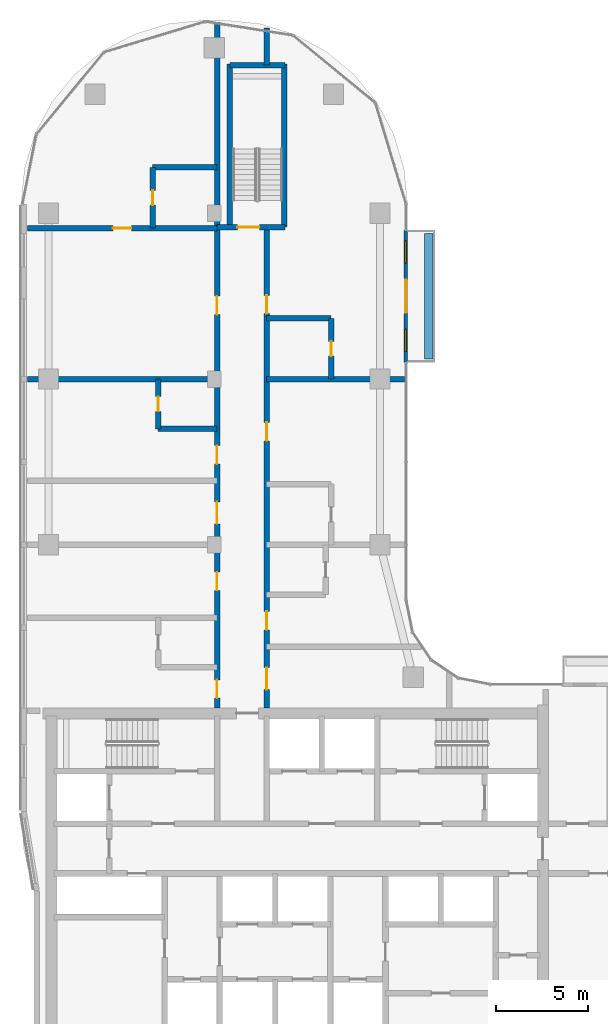
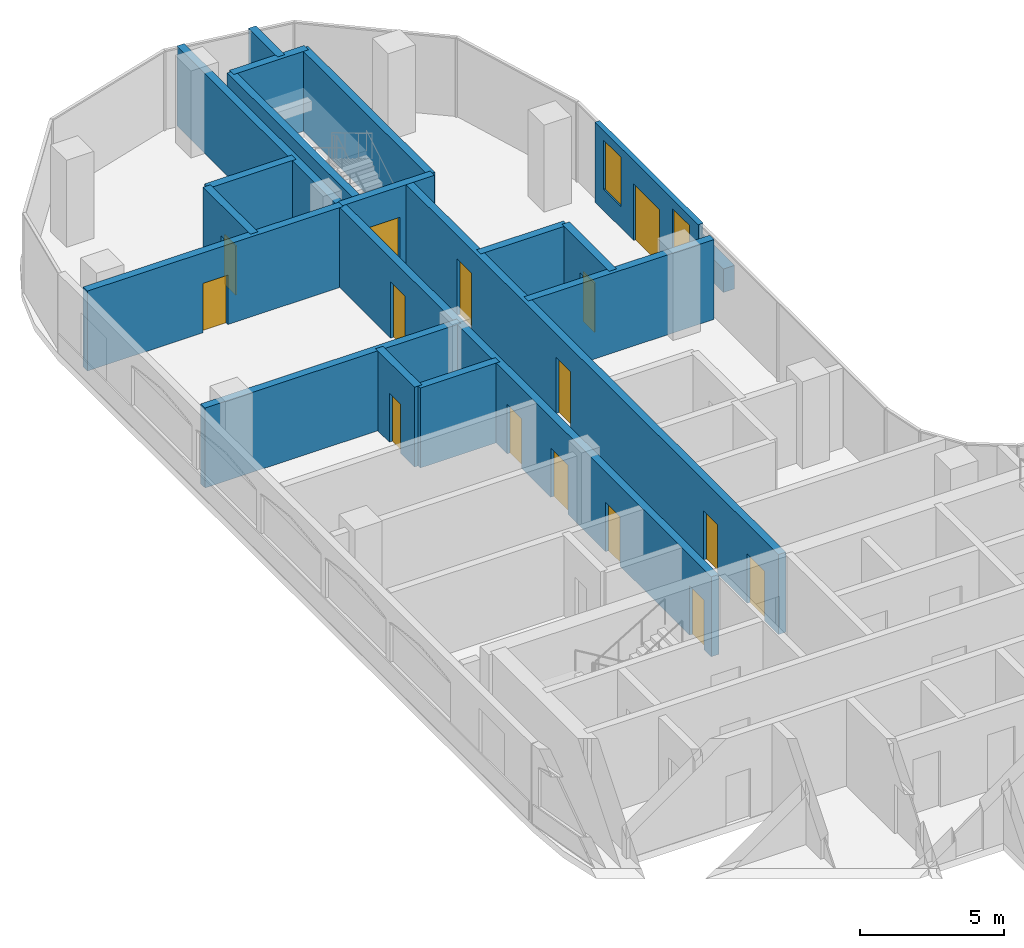
# One storey, part 11 of 22: 18 walls, 15 doors, 2 windows, 17 openings.
"""IFC4 building model written with IfcOpenShell, lengths in metres."""

from ifc_helpers import new_model, si_unit, direction, frame, frame_2d, origin, origin_2d, place, context, subcontext, project, spatial, rectangle, extrude, material, layer, layer_set, type_object, element, fill, save


model = new_model("IFC4")

# Units and contexts
model_context = context("Model", 3, precision=1e-05, world=origin(), true_north=direction((0.0, 1.0)))
body_context = subcontext(model_context, "Body", "Model", "MODEL_VIEW")
ifc_project = project(units=[si_unit("LENGTHUNIT", "METRE"), si_unit("AREAUNIT", "SQUARE_METRE"), si_unit("VOLUMEUNIT", "CUBIC_METRE"), si_unit("PLANEANGLEUNIT", "RADIAN"), si_unit("MASSUNIT", "GRAM", prefix="KILO")], contexts=[model_context])

# Site, building, storey
site_placement = place(None, origin())
site = spatial("IfcSite", under=ifc_project, at=site_placement, CompositionType="ELEMENT")
building_placement = place(site_placement, origin())
building = spatial("IfcBuilding", under=site, at=building_placement, Name="Ogive Portal Towers", CompositionType="ELEMENT")
storey_placement = place(building_placement, frame((0.0, 0.0, 145.89990234375)))
storey = spatial("IfcBuildingStorey", under=building, at=storey_placement, Name="L35", CompositionType="ELEMENT", Elevation=145.89990234375)

# Wall, openings, door, windows
ifc_material_1 = material(Name="Limestone cladding on lightweight block wall", Category="masonry")
ifc_layer_1 = layer(ifc_material_1, 0.199951171875)
ifc_layer_set_1 = layer_set([ifc_layer_1], Name="BALCONY BAY WALL 200")
wall_type_1 = type_object("IfcWallType", Name="BALCONY BAY WALL 200", PredefinedType="SOLIDWALL", material=ifc_layer_set_1)
wall_1_placement = place(storey_placement, frame((50.89990234375, 65.60009765625, 0.0), z_axis=(0.0, 0.0, 1.0), x_axis=(0.0, -1.0, 0.0)))
wall_1 = element("IfcWall", 1, at=wall_1_placement, inside=storey, type_object=wall_type_1, Name="A:L35:f17:bay0", PredefinedType="SOLIDWALL", context=body_context, shape_type="SweptSolid", body=[
    extrude(rectangle(XDim=7.2001953125, YDim=0.199951171875, at=frame_2d((3.60009765625, 0.0))), origin(), (0.0, 0.0, 1.0), 3.400146484375),
])
opening_1_placement = place(wall_1_placement, frame((2.699951171875, 0.0, 0.0)))
opening_1 = element("IfcOpeningElement", 2, at=opening_1_placement, cuts=wall_1, Name="Opening DX041", PredefinedType="OPENING", context=body_context, shape_type="SweptSolid", body=[
    extrude(rectangle(XDim=1.800048828125, YDim=2.39990234375, at=frame_2d((0.89990234375, 1.199951171875))), frame((0.0, 0.10986328125, 0.0), z_axis=(0.0, -1.0, 0.0), x_axis=(1.0, 0.0, 0.0)), (0.0, 0.0, 1.0), 0.219970703125),
])
opening_2_placement = place(wall_1_placement, frame((5.39990234375, 0.0, 0.89990234375)))
opening_2 = element("IfcOpeningElement", 3, at=opening_2_placement, cuts=wall_1, Name="Opening WN2", PredefinedType="OPENING", context=body_context, shape_type="SweptSolid", body=[
    extrude(rectangle(XDim=1.199951171875, YDim=2.10009765625, at=frame_2d((0.60009765625, 1.050048828125))), frame((0.0, 0.10986328125, 0.0), z_axis=(0.0, -1.0, 0.0), x_axis=(1.0, 0.0, 0.0)), (0.0, 0.0, 1.0), 0.219970703125),
])
opening_3_placement = place(wall_1_placement, frame((0.60009765625, 0.0, 0.89990234375)))
opening_3 = element("IfcOpeningElement", 4, at=opening_3_placement, cuts=wall_1, Name="Opening WN2", PredefinedType="OPENING", context=body_context, shape_type="SweptSolid", body=[
    extrude(rectangle(XDim=1.199951171875, YDim=2.10009765625, at=frame_2d((0.60009765625, 1.050048828125))), frame((0.0, 0.10986328125, 0.0), z_axis=(0.0, -1.0, 0.0), x_axis=(1.0, 0.0, 0.0)), (0.0, 0.0, 1.0), 0.219970703125),
])
ifc_material_2 = material(Name="Aluminium 6063 anodised", Category="aluminium")
door_type_1 = type_object("IfcDoorType", Name="BALCONY DOOR 1800x2400", OperationType="DOUBLE_DOOR_SINGLE_SWING", PredefinedType="DOOR", material=ifc_material_2)
door_1_placement = place(opening_1_placement, origin())
door_1 = element("IfcDoor", 5, at=door_1_placement, inside=storey, type_object=door_type_1, Name="A:L35:f17:bay0/o0", OperationType="SINGLE_SWING_LEFT", OverallHeight=2.39990234375, OverallWidth=1.800048828125, PredefinedType="DOOR", context=body_context, shape_type="SweptSolid", body=[
    extrude(rectangle(XDim=1.800048828125, YDim=2.39990234375, at=frame_2d((0.89990234375, 1.199951171875))), frame((0.0, 0.02490234375, 0.0), z_axis=(0.0, -1.0, 0.0), x_axis=(1.0, 0.0, 0.0)), (0.0, 0.0, 1.0), 0.050048828125),
])
fill(opening_1, door_1)
ifc_material_3 = material(Name="Glass, clear low-iron insulated glazing", Category="glass")
window_type = type_object("IfcWindowType", Name="WINDOW BALCONY BAY 1200x2100", PartitioningType="SINGLE_PANEL", PredefinedType="WINDOW", material=ifc_material_3)
window_1_placement = place(opening_2_placement, origin())
window_1 = element("IfcWindow", 6, at=window_1_placement, inside=storey, type_object=window_type, Name="A:L35:f17:bay0/o1", OverallHeight=2.10009765625, OverallWidth=1.199951171875, PartitioningType="SINGLE_PANEL", PredefinedType="WINDOW", context=body_context, shape_type="SweptSolid", body=[
    extrude(rectangle(XDim=1.199951171875, YDim=2.10009765625, at=frame_2d((0.60009765625, 1.050048828125))), frame((0.0, 0.030029296875, 0.0), z_axis=(0.0, -1.0, 0.0), x_axis=(1.0, 0.0, 0.0)), (0.0, 0.0, 1.0), 0.06005859375),
])
fill(opening_2, window_1)
window_2_placement = place(opening_3_placement, origin())
window_2 = element("IfcWindow", 7, at=window_2_placement, inside=storey, type_object=window_type, Name="A:L35:f17:bay0/o2", OverallHeight=2.10009765625, OverallWidth=1.199951171875, PartitioningType="SINGLE_PANEL", PredefinedType="WINDOW", context=body_context, shape_type="SweptSolid", body=[
    extrude(rectangle(XDim=1.199951171875, YDim=2.10009765625, at=frame_2d((0.60009765625, 1.050048828125))), frame((0.0, 0.030029296875, 0.0), z_axis=(0.0, -1.0, 0.0), x_axis=(1.0, 0.0, 0.0)), (0.0, 0.0, 1.0), 0.06005859375),
])
fill(opening_3, window_2)

# Wall
ifc_material_4 = material(Name="Concrete C40/50", Category="concrete")
ifc_layer_2 = layer(ifc_material_4, 0.449951171875)
ifc_layer_set_2 = layer_set([ifc_layer_2], Name="PLANTER WALL 450")
wall_type_2 = type_object("IfcWallType", Name="PLANTER WALL 450", PredefinedType="SOLIDWALL", material=ifc_layer_set_2)
wall_2_placement = place(storey_placement, frame((52.155029296875, 62.0, 0.0), z_axis=(0.0, 0.0, 1.0), x_axis=(1.0, 0.0, 0.0)))
element("IfcWall", 8, at=wall_2_placement, inside=storey, type_object=wall_type_2, Name="Planter S2", PredefinedType="SOLIDWALL", context=body_context, shape_type="SweptSolid", body=[
    extrude(rectangle(XDim=0.449951171875, YDim=6.800048828125, at=origin_2d()), origin(), (0.0, 0.0, 1.0), 1.0),
])

# Wall, opening, door
ifc_material_5 = material(Name="Concrete C50/60", Category="concrete")
ifc_layer_3 = layer(ifc_material_5, 0.300048828125)
ifc_layer_set_3 = layer_set([ifc_layer_3], Name="STAIR WALL 300 C50")
wall_type_3 = type_object("IfcWallType", Name="STAIR WALL 300 C50", PredefinedType="SHEAR", material=ifc_layer_set_3)
wall_3_placement = place(storey_placement, frame((40.64990234375, 65.75, 0.0), z_axis=(0.0, 0.0, 1.0), x_axis=(1.0, 0.0, 0.0)))
wall_3 = element("IfcWall", 9, at=wall_3_placement, inside=storey, type_object=wall_type_3, Name="Stair wall ST-A3 L35", PredefinedType="SHEAR", context=body_context, shape_type="SweptSolid", body=[
    extrude(rectangle(XDim=3.7001953125, YDim=0.300048828125, at=frame_2d((1.85009765625, 0.0))), origin(), (0.0, 0.0, 1.0), 3.400146484375),
])
opening_4_placement = place(wall_3_placement, frame((1.10009765625, 0.0, 0.0)))
opening_4 = element("IfcOpeningElement", 10, at=opening_4_placement, cuts=wall_3, Name="Opening D13-063", PredefinedType="OPENING", context=body_context, shape_type="SweptSolid", body=[
    extrude(rectangle(XDim=1.199951171875, YDim=2.10009765625, at=frame_2d((0.60009765625, 1.050048828125))), frame((0.0, 0.16015625, 0.0), z_axis=(0.0, -1.0, 0.0), x_axis=(1.0, 0.0, 0.0)), (0.0, 0.0, 1.0), 0.320068359375),
])
ifc_material_6 = material(Name="Steel fire door", Category="steel")
door_type_2 = type_object("IfcDoorType", Name="DT-STAIR-1200x2100-FD90S", OperationType="SINGLE_SWING_LEFT", PredefinedType="DOOR", material=ifc_material_6)
door_2_placement = place(opening_4_placement, origin())
door_2 = element("IfcDoor", 11, at=door_2_placement, inside=storey, type_object=door_type_2, Name="Door D13-063", OperationType="SINGLE_SWING_RIGHT", OverallHeight=2.10009765625, OverallWidth=1.199951171875, PredefinedType="DOOR", context=body_context, shape_type="SweptSolid", body=[
    extrude(rectangle(XDim=1.199951171875, YDim=2.10009765625, at=frame_2d((0.60009765625, 1.050048828125))), frame((0.0, 0.02490234375, 0.0), z_axis=(0.0, -1.0, 0.0), x_axis=(1.0, 0.0, 0.0)), (0.0, 0.0, 1.0), 0.050048828125),
])
fill(opening_4, door_2)

# Walls
wall_4_placement = place(storey_placement, frame((41.35009765625, 74.550048828125, 0.0), z_axis=(0.0, 0.0, 1.0), x_axis=(1.0, 0.0, 0.0)))
element("IfcWall", 12, at=wall_4_placement, inside=storey, type_object=wall_type_3, Name="Stair wall ST-A3 L35", PredefinedType="SHEAR", context=body_context, shape_type="SweptSolid", body=[
    extrude(rectangle(XDim=3.0, YDim=0.300048828125, at=frame_2d((1.5, 0.0))), origin(), (0.0, 0.0, 1.0), 3.400146484375),
])
for number, where, z_axis, x_axis, name in (
    (13, (41.35009765625, 65.75, 0.0), (0.0, 0.0, 1.0), (0.0, 1.0, 0.0), "Stair wall ST-A3 L35"),
    (14, (44.300048828125, 65.75, 0.0), (0.0, 0.0, 1.0), (0.0, 1.0, 0.0), "Stair wall ST-A3 L35"),
):
    element("IfcWall", number, at=place(storey_placement, frame(where, z_axis=z_axis, x_axis=x_axis)), inside=storey, type_object=wall_type_3, Name=name, PredefinedType="SHEAR", context=body_context, shape_type="SweptSolid", body=[
        extrude(rectangle(XDim=8.85009765625, YDim=0.300048828125, at=frame_2d((4.425048828125, 0.0))), origin(), (0.0, 0.0, 1.0), 3.400146484375),
    ])
ifc_material_7 = material(Name="Gypsum board partition on steel studs", Category="steel")
ifc_layer_4 = layer(ifc_material_7, 0.300048828125)
ifc_layer_set_4 = layer_set([ifc_layer_4], Name="WT-PART-300-EI 60")
wall_type_4 = type_object("IfcWallType", Name="WT-PART-300-EI 60", PredefinedType="PARTITIONING", material=ifc_layer_set_4)
wall_5_placement = place(storey_placement, frame((37.449951171875, 54.800048828125, 0.0), z_axis=(0.0, 0.0, 1.0), x_axis=(1.0, 0.0, 0.0)))
element("IfcWall", 15, at=wall_5_placement, inside=storey, type_object=wall_type_4, Name="Wall L35:w022", PredefinedType="PARTITIONING", context=body_context, shape_type="SweptSolid", body=[
    extrude(rectangle(XDim=3.199951171875, YDim=0.300048828125, at=frame_2d((1.60009765625, 0.0))), origin(), (0.0, 0.0, 1.0), 3.400146484375),
])
wall_6_placement = place(storey_placement, frame((30.35009765625, 57.5, 0.0), z_axis=(0.0, 0.0, 1.0), x_axis=(1.0, 0.0, 0.0)))
element("IfcWall", 16, at=wall_6_placement, inside=storey, type_object=wall_type_4, Name="Wall L35:w023", PredefinedType="PARTITIONING", context=body_context, shape_type="SweptSolid", body=[
    extrude(rectangle(XDim=10.2998046875, YDim=0.300048828125, at=frame_2d((5.14990234375, 0.0))), origin(), (0.0, 0.0, 1.0), 3.400146484375),
])
wall_7_placement = place(storey_placement, frame((43.35009765625, 57.5, 0.0), z_axis=(0.0, 0.0, 1.0), x_axis=(1.0, 0.0, 0.0)))
element("IfcWall", 17, at=wall_7_placement, inside=storey, type_object=wall_type_4, Name="Wall L35:w024", PredefinedType="PARTITIONING", context=body_context, shape_type="SweptSolid", body=[
    extrude(rectangle(XDim=7.47998046875, YDim=0.300048828125, at=frame_2d((3.739990234375, 0.0))), origin(), (0.0, 0.0, 1.0), 3.400146484375),
])
wall_8_placement = place(storey_placement, frame((43.35009765625, 60.800048828125, 0.0), z_axis=(0.0, 0.0, 1.0), x_axis=(1.0, 0.0, 0.0)))
element("IfcWall", 18, at=wall_8_placement, inside=storey, type_object=wall_type_4, Name="Wall L35:w025", PredefinedType="PARTITIONING", context=body_context, shape_type="SweptSolid", body=[
    extrude(rectangle(XDim=3.5, YDim=0.300048828125, at=frame_2d((1.75, 0.0))), origin(), (0.0, 0.0, 1.0), 3.400146484375),
])

# Wall, opening, door
wall_9_placement = place(storey_placement, frame((30.35009765625, 65.699951171875, 0.0), z_axis=(0.0, 0.0, 1.0), x_axis=(1.0, 0.0, 0.0)))
wall_9 = element("IfcWall", 19, at=wall_9_placement, inside=storey, type_object=wall_type_4, Name="Wall L35:w026", PredefinedType="PARTITIONING", context=body_context, shape_type="SweptSolid", body=[
    extrude(rectangle(XDim=10.2998046875, YDim=0.300048828125, at=frame_2d((5.14990234375, 0.0))), origin(), (0.0, 0.0, 1.0), 3.400146484375),
])
opening_5_placement = place(wall_9_placement, frame((4.64990234375, 0.0, 0.0)))
opening_5 = element("IfcOpeningElement", 20, at=opening_5_placement, cuts=wall_9, Name="Opening D13-057", PredefinedType="OPENING", context=body_context, shape_type="SweptSolid", body=[
    extrude(rectangle(XDim=1.0, YDim=2.10009765625, at=frame_2d((0.5, 1.050048828125))), frame((0.0, 0.16015625, 0.0), z_axis=(0.0, -1.0, 0.0), x_axis=(1.0, 0.0, 0.0)), (0.0, 0.0, 1.0), 0.320068359375),
])
door_type_3 = type_object("IfcDoorType", Name="DT-ENTRY-1000x2100-FD60S", OperationType="SINGLE_SWING_LEFT", PredefinedType="DOOR", material=ifc_material_6)
door_3_placement = place(opening_5_placement, origin())
door_3 = element("IfcDoor", 21, at=door_3_placement, inside=storey, type_object=door_type_3, Name="Door D13-057", OperationType="SINGLE_SWING_LEFT", OverallHeight=2.10009765625, OverallWidth=1.0, PredefinedType="DOOR", context=body_context, shape_type="SweptSolid", body=[
    extrude(rectangle(XDim=1.0, YDim=2.10009765625, at=frame_2d((0.5, 1.050048828125))), frame((0.0, 0.02490234375, 0.0), z_axis=(0.0, -1.0, 0.0), x_axis=(1.0, 0.0, 0.0)), (0.0, 0.0, 1.0), 0.050048828125),
])
fill(opening_5, door_3)

# Wall
wall_10_placement = place(storey_placement, frame((37.14990234375, 69.0, 0.0), z_axis=(0.0, 0.0, 1.0), x_axis=(1.0, 0.0, 0.0)))
element("IfcWall", 22, at=wall_10_placement, inside=storey, type_object=wall_type_4, Name="Wall L35:w028", PredefinedType="PARTITIONING", context=body_context, shape_type="SweptSolid", body=[
    extrude(rectangle(XDim=3.5, YDim=0.300048828125, at=frame_2d((1.75, 0.0))), origin(), (0.0, 0.0, 1.0), 3.400146484375),
])

# Wall, opening, door
wall_11_placement = place(storey_placement, frame((37.14990234375, 65.699951171875, 0.0), z_axis=(0.0, 0.0, 1.0), x_axis=(0.0, 1.0, 0.0)))
wall_11 = element("IfcWall", 23, at=wall_11_placement, inside=storey, type_object=wall_type_4, Name="Wall L35:w030", PredefinedType="PARTITIONING", context=body_context, shape_type="SweptSolid", body=[
    extrude(rectangle(XDim=3.300048828125, YDim=0.300048828125, at=frame_2d((1.64990234375, 0.0))), origin(), (0.0, 0.0, 1.0), 3.400146484375),
])
opening_6_placement = place(wall_11_placement, frame((1.25, 0.0, 0.0)))
opening_6 = element("IfcOpeningElement", 24, at=opening_6_placement, cuts=wall_11, Name="Opening D13-058", PredefinedType="OPENING", context=body_context, shape_type="SweptSolid", body=[
    extrude(rectangle(XDim=0.800048828125, YDim=2.10009765625, at=frame_2d((0.39990234375, 1.050048828125))), frame((0.0, 0.16015625, 0.0), z_axis=(0.0, -1.0, 0.0), x_axis=(1.0, 0.0, 0.0)), (0.0, 0.0, 1.0), 0.320068359375),
])
door_type_4 = type_object("IfcDoorType", Name="DT-BATH-800x2100-FD60S", OperationType="SINGLE_SWING_LEFT", PredefinedType="DOOR", material=ifc_material_6)
door_4_placement = place(opening_6_placement, origin())
door_4 = element("IfcDoor", 25, at=door_4_placement, inside=storey, type_object=door_type_4, Name="Door D13-058", OperationType="SINGLE_SWING_RIGHT", OverallHeight=2.10009765625, OverallWidth=0.800048828125, PredefinedType="DOOR", context=body_context, shape_type="SweptSolid", body=[
    extrude(rectangle(XDim=0.800048828125, YDim=2.10009765625, at=frame_2d((0.39990234375, 1.050048828125))), frame((0.0, 0.02490234375, 0.0), z_axis=(0.0, -1.0, 0.0), x_axis=(1.0, 0.0, 0.0)), (0.0, 0.0, 1.0), 0.050048828125),
])
fill(opening_6, door_4)

wall_12_placement = place(storey_placement, frame((37.449951171875, 54.800048828125, 0.0), z_axis=(0.0, 0.0, 1.0), x_axis=(0.0, 1.0, 0.0)))
wall_12 = element("IfcWall", 26, at=wall_12_placement, inside=storey, type_object=wall_type_4, Name="Wall L35:w032", PredefinedType="PARTITIONING", context=body_context, shape_type="SweptSolid", body=[
    extrude(rectangle(XDim=2.699951171875, YDim=0.300048828125, at=frame_2d((1.35009765625, 0.0))), origin(), (0.0, 0.0, 1.0), 3.400146484375),
])
opening_7_placement = place(wall_12_placement, frame((0.949951171875, 0.0, 0.0)))
opening_7 = element("IfcOpeningElement", 27, at=opening_7_placement, cuts=wall_12, Name="Opening D13-052", PredefinedType="OPENING", context=body_context, shape_type="SweptSolid", body=[
    extrude(rectangle(XDim=0.800048828125, YDim=2.10009765625, at=frame_2d((0.39990234375, 1.050048828125))), frame((0.0, 0.16015625, 0.0), z_axis=(0.0, -1.0, 0.0), x_axis=(1.0, 0.0, 0.0)), (0.0, 0.0, 1.0), 0.320068359375),
])
door_5_placement = place(opening_7_placement, origin())
door_5 = element("IfcDoor", 28, at=door_5_placement, inside=storey, type_object=door_type_4, Name="Door D13-052", OperationType="SINGLE_SWING_LEFT", OverallHeight=2.10009765625, OverallWidth=0.800048828125, PredefinedType="DOOR", context=body_context, shape_type="SweptSolid", body=[
    extrude(rectangle(XDim=0.800048828125, YDim=2.10009765625, at=frame_2d((0.39990234375, 1.050048828125))), frame((0.0, 0.02490234375, 0.0), z_axis=(0.0, -1.0, 0.0), x_axis=(1.0, 0.0, 0.0)), (0.0, 0.0, 1.0), 0.050048828125),
])
fill(opening_7, door_5)

# Wall, openings, doors
wall_13_placement = place(storey_placement, frame((40.64990234375, 39.64990234375, 0.0), z_axis=(0.0, 0.0, 1.0), x_axis=(0.0, 1.0, 0.0)))
wall_13 = element("IfcWall", 29, at=wall_13_placement, inside=storey, type_object=wall_type_4, Name="Wall L35:w033", PredefinedType="PARTITIONING", context=body_context, shape_type="SweptSolid", body=[
    extrude(rectangle(XDim=37.239990234375, YDim=0.300048828125, at=frame_2d((18.6201171875, 0.0))), origin(), (0.0, 0.0, 1.0), 3.400146484375),
])
opening_8_placement = place(wall_13_placement, frame((0.52001953125, 0.0, 0.0)))
opening_8 = element("IfcOpeningElement", 30, at=opening_8_placement, cuts=wall_13, Name="Opening D13-047", PredefinedType="OPENING", context=body_context, shape_type="SweptSolid", body=[
    extrude(rectangle(XDim=1.0, YDim=2.10009765625, at=frame_2d((0.5, 1.050048828125))), frame((0.0, 0.16015625, 0.0), z_axis=(0.0, -1.0, 0.0), x_axis=(1.0, 0.0, 0.0)), (0.0, 0.0, 1.0), 0.320068359375),
])
opening_9_placement = place(wall_13_placement, frame((6.3701171875, 0.0, 0.0)))
opening_9 = element("IfcOpeningElement", 31, at=opening_9_placement, cuts=wall_13, Name="Opening D13-048", PredefinedType="OPENING", context=body_context, shape_type="SweptSolid", body=[
    extrude(rectangle(XDim=1.0, YDim=2.10009765625, at=frame_2d((0.5, 1.050048828125))), frame((0.0, 0.16015625, 0.0), z_axis=(0.0, -1.0, 0.0), x_axis=(1.0, 0.0, 0.0)), (0.0, 0.0, 1.0), 0.320068359375),
])
opening_10_placement = place(wall_13_placement, frame((9.985107421875, 0.0, 0.0)))
opening_10 = element("IfcOpeningElement", 32, at=opening_10_placement, cuts=wall_13, Name="Opening D13-051", PredefinedType="OPENING", context=body_context, shape_type="SweptSolid", body=[
    extrude(rectangle(XDim=1.199951171875, YDim=2.10009765625, at=frame_2d((0.60009765625, 1.050048828125))), frame((0.0, 0.16015625, 0.0), z_axis=(0.0, -1.0, 0.0), x_axis=(1.0, 0.0, 0.0)), (0.0, 0.0, 1.0), 0.320068359375),
])
opening_11_placement = place(wall_13_placement, frame((13.235107421875, 0.0, 0.0)))
opening_11 = element("IfcOpeningElement", 33, at=opening_11_placement, cuts=wall_13, Name="Opening D13-053", PredefinedType="OPENING", context=body_context, shape_type="SweptSolid", body=[
    extrude(rectangle(XDim=1.0, YDim=2.10009765625, at=frame_2d((0.5, 1.050048828125))), frame((0.0, 0.16015625, 0.0), z_axis=(0.0, -1.0, 0.0), x_axis=(1.0, 0.0, 0.0)), (0.0, 0.0, 1.0), 0.320068359375),
])
opening_12_placement = place(wall_13_placement, frame((21.35009765625, 0.0, 0.0)))
opening_12 = element("IfcOpeningElement", 34, at=opening_12_placement, cuts=wall_13, Name="Opening D13-056", PredefinedType="OPENING", context=body_context, shape_type="SweptSolid", body=[
    extrude(rectangle(XDim=1.0, YDim=2.39990234375, at=frame_2d((0.5, 1.199951171875))), frame((0.0, 0.16015625, 0.0), z_axis=(0.0, -1.0, 0.0), x_axis=(1.0, 0.0, 0.0)), (0.0, 0.0, 1.0), 0.320068359375),
])
door_6_placement = place(opening_8_placement, origin())
door_6 = element("IfcDoor", 35, at=door_6_placement, inside=storey, type_object=door_type_3, Name="Door D13-047", OperationType="SINGLE_SWING_RIGHT", OverallHeight=2.10009765625, OverallWidth=1.0, PredefinedType="DOOR", context=body_context, shape_type="SweptSolid", body=[
    extrude(rectangle(XDim=1.0, YDim=2.10009765625, at=frame_2d((0.5, 1.050048828125))), frame((0.0, 0.02490234375, 0.0), z_axis=(0.0, -1.0, 0.0), x_axis=(1.0, 0.0, 0.0)), (0.0, 0.0, 1.0), 0.050048828125),
])
fill(opening_8, door_6)
door_7_placement = place(opening_9_placement, origin())
door_7 = element("IfcDoor", 36, at=door_7_placement, inside=storey, type_object=door_type_3, Name="Door D13-048", OperationType="SINGLE_SWING_LEFT", OverallHeight=2.10009765625, OverallWidth=1.0, PredefinedType="DOOR", context=body_context, shape_type="SweptSolid", body=[
    extrude(rectangle(XDim=1.0, YDim=2.10009765625, at=frame_2d((0.5, 1.050048828125))), frame((0.0, 0.02490234375, 0.0), z_axis=(0.0, -1.0, 0.0), x_axis=(1.0, 0.0, 0.0)), (0.0, 0.0, 1.0), 0.050048828125),
])
fill(opening_9, door_7)
door_8_placement = place(opening_11_placement, origin())
door_8 = element("IfcDoor", 37, at=door_8_placement, inside=storey, type_object=door_type_3, Name="Door D13-053", OperationType="SINGLE_SWING_RIGHT", OverallHeight=2.10009765625, OverallWidth=1.0, PredefinedType="DOOR", context=body_context, shape_type="SweptSolid", body=[
    extrude(rectangle(XDim=1.0, YDim=2.10009765625, at=frame_2d((0.5, 1.050048828125))), frame((0.0, 0.02490234375, 0.0), z_axis=(0.0, -1.0, 0.0), x_axis=(1.0, 0.0, 0.0)), (0.0, 0.0, 1.0), 0.050048828125),
])
fill(opening_11, door_8)
door_type_5 = type_object("IfcDoorType", Name="DT-ENTRY-1000x2400-FD60S", OperationType="SINGLE_SWING_LEFT", PredefinedType="DOOR", material=ifc_material_6)
door_9_placement = place(opening_12_placement, origin())
door_9 = element("IfcDoor", 38, at=door_9_placement, inside=storey, type_object=door_type_5, Name="Door D13-056", OperationType="SINGLE_SWING_LEFT", OverallHeight=2.39990234375, OverallWidth=1.0, PredefinedType="DOOR", context=body_context, shape_type="SweptSolid", body=[
    extrude(rectangle(XDim=1.0, YDim=2.39990234375, at=frame_2d((0.5, 1.199951171875))), frame((0.0, 0.02490234375, 0.0), z_axis=(0.0, -1.0, 0.0), x_axis=(1.0, 0.0, 0.0)), (0.0, 0.0, 1.0), 0.050048828125),
])
fill(opening_12, door_9)
door_type_6 = type_object("IfcDoorType", Name="DT-ENTRY-1200x2100-FD60S", OperationType="SINGLE_SWING_LEFT", PredefinedType="DOOR", material=ifc_material_6)
door_10_placement = place(opening_10_placement, origin())
door_10 = element("IfcDoor", 39, at=door_10_placement, inside=storey, type_object=door_type_6, Name="Door D13-051", OperationType="SINGLE_SWING_LEFT", OverallHeight=2.10009765625, OverallWidth=1.199951171875, PredefinedType="DOOR", context=body_context, shape_type="SweptSolid", body=[
    extrude(rectangle(XDim=1.199951171875, YDim=2.10009765625, at=frame_2d((0.60009765625, 1.050048828125))), frame((0.0, 0.02490234375, 0.0), z_axis=(0.0, -1.0, 0.0), x_axis=(1.0, 0.0, 0.0)), (0.0, 0.0, 1.0), 0.050048828125),
])
fill(opening_10, door_10)

# Wall, opening, door
wall_14_placement = place(storey_placement, frame((46.85009765625, 57.5, 0.0), z_axis=(0.0, 0.0, 1.0), x_axis=(0.0, 1.0, 0.0)))
wall_14 = element("IfcWall", 40, at=wall_14_placement, inside=storey, type_object=wall_type_4, Name="Wall L35:w040", PredefinedType="PARTITIONING", context=body_context, shape_type="SweptSolid", body=[
    extrude(rectangle(XDim=3.300048828125, YDim=0.300048828125, at=frame_2d((1.64990234375, 0.0))), origin(), (0.0, 0.0, 1.0), 3.400146484375),
])
opening_13_placement = place(wall_14_placement, frame((1.25, 0.0, 0.0)))
opening_13 = element("IfcOpeningElement", 41, at=opening_13_placement, cuts=wall_14, Name="Opening D13-054", PredefinedType="OPENING", context=body_context, shape_type="SweptSolid", body=[
    extrude(rectangle(XDim=0.800048828125, YDim=2.10009765625, at=frame_2d((0.39990234375, 1.050048828125))), frame((0.0, 0.16015625, 0.0), z_axis=(0.0, -1.0, 0.0), x_axis=(1.0, 0.0, 0.0)), (0.0, 0.0, 1.0), 0.320068359375),
])
door_11_placement = place(opening_13_placement, origin())
door_11 = element("IfcDoor", 42, at=door_11_placement, inside=storey, type_object=door_type_4, Name="Door D13-054", OperationType="SINGLE_SWING_RIGHT", OverallHeight=2.10009765625, OverallWidth=0.800048828125, PredefinedType="DOOR", context=body_context, shape_type="SweptSolid", body=[
    extrude(rectangle(XDim=0.800048828125, YDim=2.10009765625, at=frame_2d((0.39990234375, 1.050048828125))), frame((0.0, 0.02490234375, 0.0), z_axis=(0.0, -1.0, 0.0), x_axis=(1.0, 0.0, 0.0)), (0.0, 0.0, 1.0), 0.050048828125),
])
fill(opening_13, door_11)

# Wall, openings, doors
ifc_layer_5 = layer(ifc_material_4, 0.300048828125)
ifc_layer_set_5 = layer_set([ifc_layer_5], Name="WT-SHAFT-300")
wall_type_5 = type_object("IfcWallType", Name="WT-SHAFT-300", PredefinedType="SOLIDWALL", material=ifc_layer_set_5)
wall_15_placement = place(storey_placement, frame((43.35009765625, 39.64990234375, 0.0), z_axis=(0.0, 0.0, 1.0), x_axis=(0.0, 1.0, 0.0)))
wall_15 = element("IfcWall", 43, at=wall_15_placement, inside=storey, type_object=wall_type_5, Name="Wall L35:w035", PredefinedType="SOLIDWALL", context=body_context, shape_type="SweptSolid", body=[
    extrude(rectangle(XDim=26.150146484375, YDim=0.300048828125, at=frame_2d((13.0751953125, 0.0))), origin(), (0.0, 0.0, 1.0), 3.400146484375),
])
opening_14_placement = place(wall_15_placement, frame((0.985107421875, 0.0, 0.0)))
opening_14 = element("IfcOpeningElement", 44, at=opening_14_placement, cuts=wall_15, Name="Opening D13-043", PredefinedType="OPENING", context=body_context, shape_type="SweptSolid", body=[
    extrude(rectangle(XDim=1.199951171875, YDim=2.10009765625, at=frame_2d((0.60009765625, 1.050048828125))), frame((0.0, 0.16015625, 0.0), z_axis=(0.0, -1.0, 0.0), x_axis=(1.0, 0.0, 0.0)), (0.0, 0.0, 1.0), 0.320068359375),
])
opening_15_placement = place(wall_15_placement, frame((4.235107421875, 0.0, 0.0)))
opening_15 = element("IfcOpeningElement", 45, at=opening_15_placement, cuts=wall_15, Name="Opening D13-045", PredefinedType="OPENING", context=body_context, shape_type="SweptSolid", body=[
    extrude(rectangle(XDim=1.0, YDim=2.10009765625, at=frame_2d((0.5, 1.050048828125))), frame((0.0, 0.16015625, 0.0), z_axis=(0.0, -1.0, 0.0), x_axis=(1.0, 0.0, 0.0)), (0.0, 0.0, 1.0), 0.320068359375),
])
opening_16_placement = place(wall_15_placement, frame((14.5, 0.0, 0.0)))
opening_16 = element("IfcOpeningElement", 46, at=opening_16_placement, cuts=wall_15, Name="Opening D13-050", PredefinedType="OPENING", context=body_context, shape_type="SweptSolid", body=[
    extrude(rectangle(XDim=1.0, YDim=2.39990234375, at=frame_2d((0.5, 1.199951171875))), frame((0.0, 0.16015625, 0.0), z_axis=(0.0, -1.0, 0.0), x_axis=(1.0, 0.0, 0.0)), (0.0, 0.0, 1.0), 0.320068359375),
])
opening_17_placement = place(wall_15_placement, frame((21.39990234375, 0.0, 0.0)))
opening_17 = element("IfcOpeningElement", 47, at=opening_17_placement, cuts=wall_15, Name="Opening D13-055", PredefinedType="OPENING", context=body_context, shape_type="SweptSolid", body=[
    extrude(rectangle(XDim=1.0, YDim=2.39990234375, at=frame_2d((0.5, 1.199951171875))), frame((0.0, 0.16015625, 0.0), z_axis=(0.0, -1.0, 0.0), x_axis=(1.0, 0.0, 0.0)), (0.0, 0.0, 1.0), 0.320068359375),
])
door_type_7 = type_object("IfcDoorType", Name="DT-ENTRY-1000x2100-FD90S", OperationType="SINGLE_SWING_LEFT", PredefinedType="DOOR", material=ifc_material_6)
door_12_placement = place(opening_15_placement, origin())
door_12 = element("IfcDoor", 48, at=door_12_placement, inside=storey, type_object=door_type_7, Name="Door D13-045", OperationType="SINGLE_SWING_LEFT", OverallHeight=2.10009765625, OverallWidth=1.0, PredefinedType="DOOR", context=body_context, shape_type="SweptSolid", body=[
    extrude(rectangle(XDim=1.0, YDim=2.10009765625, at=frame_2d((0.5, 1.050048828125))), frame((0.0, 0.02490234375, 0.0), z_axis=(0.0, -1.0, 0.0), x_axis=(1.0, 0.0, 0.0)), (0.0, 0.0, 1.0), 0.050048828125),
])
fill(opening_15, door_12)
door_type_8 = type_object("IfcDoorType", Name="DT-ENTRY-1000x2400-FD90S", OperationType="SINGLE_SWING_LEFT", PredefinedType="DOOR", material=ifc_material_6)
door_13_placement = place(opening_16_placement, origin())
door_13 = element("IfcDoor", 49, at=door_13_placement, inside=storey, type_object=door_type_8, Name="Door D13-050", OperationType="SINGLE_SWING_RIGHT", OverallHeight=2.39990234375, OverallWidth=1.0, PredefinedType="DOOR", context=body_context, shape_type="SweptSolid", body=[
    extrude(rectangle(XDim=1.0, YDim=2.39990234375, at=frame_2d((0.5, 1.199951171875))), frame((0.0, 0.02490234375, 0.0), z_axis=(0.0, -1.0, 0.0), x_axis=(1.0, 0.0, 0.0)), (0.0, 0.0, 1.0), 0.050048828125),
])
fill(opening_16, door_13)
door_14_placement = place(opening_17_placement, origin())
door_14 = element("IfcDoor", 50, at=door_14_placement, inside=storey, type_object=door_type_8, Name="Door D13-055", OperationType="SINGLE_SWING_LEFT", OverallHeight=2.39990234375, OverallWidth=1.0, PredefinedType="DOOR", context=body_context, shape_type="SweptSolid", body=[
    extrude(rectangle(XDim=1.0, YDim=2.39990234375, at=frame_2d((0.5, 1.199951171875))), frame((0.0, 0.02490234375, 0.0), z_axis=(0.0, -1.0, 0.0), x_axis=(1.0, 0.0, 0.0)), (0.0, 0.0, 1.0), 0.050048828125),
])
fill(opening_17, door_14)
door_type_9 = type_object("IfcDoorType", Name="DT-ENTRY-1200x2100-FD90S", OperationType="SINGLE_SWING_LEFT", PredefinedType="DOOR", material=ifc_material_6)
door_15_placement = place(opening_14_placement, origin())
door_15 = element("IfcDoor", 51, at=door_15_placement, inside=storey, type_object=door_type_9, Name="Door D13-043", OperationType="SINGLE_SWING_RIGHT", OverallHeight=2.10009765625, OverallWidth=1.199951171875, PredefinedType="DOOR", context=body_context, shape_type="SweptSolid", body=[
    extrude(rectangle(XDim=1.199951171875, YDim=2.10009765625, at=frame_2d((0.60009765625, 1.050048828125))), frame((0.0, 0.02490234375, 0.0), z_axis=(0.0, -1.0, 0.0), x_axis=(1.0, 0.0, 0.0)), (0.0, 0.0, 1.0), 0.050048828125),
])
fill(opening_14, door_15)

# Wall
wall_16_placement = place(storey_placement, frame((43.35009765625, 74.550048828125, 0.0), z_axis=(0.0, 0.0, 1.0), x_axis=(0.0, 1.0, 0.0)))
element("IfcWall", 52, at=wall_16_placement, inside=storey, type_object=wall_type_5, Name="Wall L35:w036", PredefinedType="SOLIDWALL", context=body_context, shape_type="SweptSolid", body=[
    extrude(rectangle(XDim=2.02197265625, YDim=0.300048828125, at=frame_2d((1.010986328125, 0.0))), origin(), (0.0, 0.0, 1.0), 3.400146484375),
])

save(model, "model.ifc")
